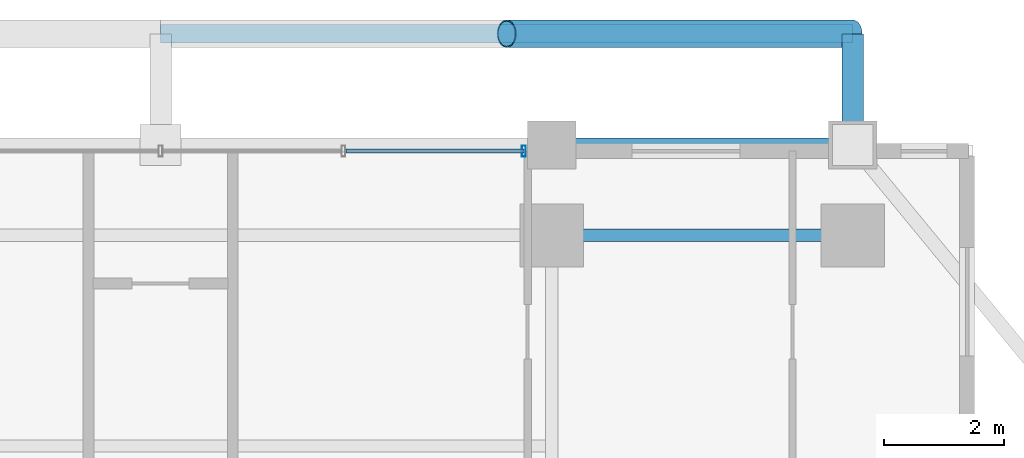
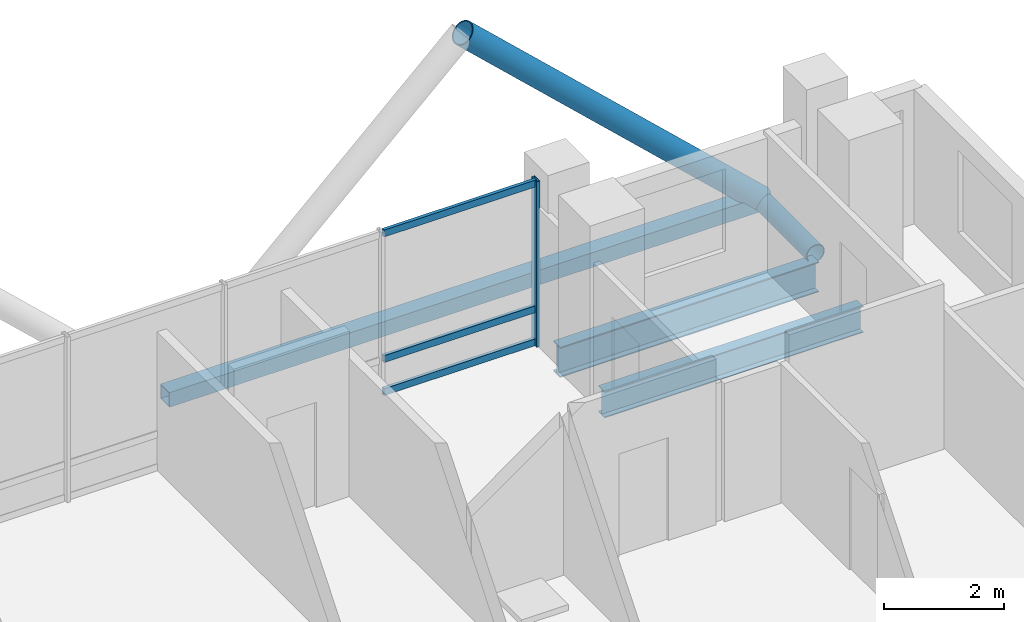
# One storey, part 18 of 26: 7 members, 2 beams, 1 element without a shape of its own.
"""IFC4 building model written with IfcOpenShell, lengths in metres."""

from ifc_helpers import new_model, si_unit, direction, frame, origin, origin_2d, place, context, subcontext, project, spatial, hollow_rectangle, hollow_circle, i_section, extrude, material, layer, layer_set, material_profile, profile_set, type_object, element, aggregate, save


model = new_model("IFC4")

# Units and contexts
model_context = context("Model", 3, precision=1e-05, world=origin(), true_north=direction((0.0, 1.0)))
body_context = subcontext(model_context, "Body", "Model", "MODEL_VIEW")
ifc_project = project(units=[si_unit("LENGTHUNIT", "METRE"), si_unit("AREAUNIT", "SQUARE_METRE"), si_unit("VOLUMEUNIT", "CUBIC_METRE"), si_unit("PLANEANGLEUNIT", "RADIAN"), si_unit("MASSUNIT", "GRAM", prefix="KILO")], contexts=[model_context])

# Site, building, storey
site_placement = place(None, origin())
site = spatial("IfcSite", under=ifc_project, at=site_placement, CompositionType="ELEMENT")
building_placement = place(site_placement, origin())
building = spatial("IfcBuilding", under=site, at=building_placement, Name="Barlavira Tower and Art Museum", CompositionType="ELEMENT")
storey_placement = place(building_placement, frame((0.0, 0.0, 187.199951171875)))
storey = spatial("IfcBuildingStorey", under=building, at=storey_placement, Name="L48", CompositionType="ELEMENT", Elevation=187.199951171875)

# Curtain wall, members
ifc_material_1 = material(Name="Low-iron coastal laminated glass", Category="glass")
ifc_layer = layer(ifc_material_1, 0.199951171875, Name="Low-iron coastal laminated glass")
ifc_layer_set = layer_set([ifc_layer], Name="Low-iron coastal laminated glass")
curtain_wall_type = type_object("IfcCurtainWallType", Name="Pale-Metal Unitised Curtain Wall Zone 3", PredefinedType="NOTDEFINED", material=ifc_layer_set)
curtain_wall_placement = place(storey_placement, origin())
curtain_wall = element("IfcCurtainWall", 1, at=curtain_wall_placement, inside=storey, type_object=curtain_wall_type, Name="L48 Curtain Wall CW3-L48-N-B3", PredefinedType="NOTDEFINED")
ifc_material_2 = material(Name="Pale anodised aluminium", Category="aluminium")
ifc_material_profile_1 = material_profile(ifc_material_2, hollow_rectangle(XDim=0.06494140625, YDim=0.179931640625, WallThickness=0.00390625, at=origin_2d()), Name="ALU-MULL 65x180x4")
ifc_profile_set_1 = profile_set([ifc_material_profile_1], Name="Pale anodised aluminium")
member_type_1 = type_object("IfcMemberType", Name="Curtain Wall Pale-Metal Mullion 65x180", PredefinedType="MULLION", material=ifc_profile_set_1)
member_1_placement = place(storey_placement, frame((6.034912109375, 21.39990234375, 0.0), z_axis=(0.0, 0.0, 1.0), x_axis=(-1.0, 0.0, 0.0)))
member_1 = element("IfcMember", 2, at=member_1_placement, type_object=member_type_1, Name="CW3-L48-N-B3 Mullion 0", PredefinedType="MULLION", context=body_context, shape_type="SweptSolid", body=[
    extrude(hollow_rectangle(XDim=0.06494140625, YDim=0.179931640625, WallThickness=0.00390625, at=origin_2d()), origin(), (0.0, 0.0, 1.0), 3.380126953125),
])
ifc_material_profile_2 = material_profile(ifc_material_2, hollow_rectangle(XDim=0.06494140625, YDim=0.139892578125, WallThickness=0.00390625, at=origin_2d()), Name="ALU-TRAN 65x140x4")
ifc_profile_set_2 = profile_set([ifc_material_profile_2], Name="Pale anodised aluminium")
member_type_2 = type_object("IfcMemberType", Name="Curtain Wall Pale-Metal Transom 65x140", PredefinedType="USERDEFINED", material=ifc_profile_set_2)
member_2_placement = place(storey_placement, frame((6.034912109375, 21.39990234375, 0.070068359375), z_axis=(-1.0, 0.0, 0.0), x_axis=(0.0, -1.0, 0.0)))
member_2 = element("IfcMember", 3, at=member_2_placement, type_object=member_type_2, Name="CW3-L48-N-B3 Transom 0.1", ObjectType="TRANSOM", PredefinedType="USERDEFINED", context=body_context, shape_type="SweptSolid", body=[
    extrude(hollow_rectangle(XDim=0.06494140625, YDim=0.139892578125, WallThickness=0.00390625, at=origin_2d()), origin(), (0.0, 0.0, 1.0), 2.949951171875),
])
member_3_placement = place(storey_placement, frame((6.034912109375, 21.39990234375, 0.744140625), z_axis=(-1.0, 0.0, 0.0), x_axis=(0.0, -1.0, 0.0)))
member_3 = element("IfcMember", 4, at=member_3_placement, type_object=member_type_2, Name="CW3-L48-N-B3 Transom 0.2", ObjectType="TRANSOM", PredefinedType="USERDEFINED", context=body_context, shape_type="SweptSolid", body=[
    extrude(hollow_rectangle(XDim=0.06494140625, YDim=0.139892578125, WallThickness=0.00390625, at=origin_2d()), origin(), (0.0, 0.0, 1.0), 2.949951171875),
])
member_4_placement = place(storey_placement, frame((6.034912109375, 21.39990234375, 3.31005859375), z_axis=(-1.0, 0.0, 0.0), x_axis=(0.0, -1.0, 0.0)))
member_4 = element("IfcMember", 5, at=member_4_placement, type_object=member_type_2, Name="CW3-L48-N-B3 Transom 0.3", ObjectType="TRANSOM", PredefinedType="USERDEFINED", context=body_context, shape_type="SweptSolid", body=[
    extrude(hollow_rectangle(XDim=0.06494140625, YDim=0.139892578125, WallThickness=0.00390625, at=origin_2d()), origin(), (0.0, 0.0, 1.0), 2.949951171875),
])
aggregate(curtain_wall, [member_1, member_2, member_3, member_4])

# Members
ifc_material_3 = material(Name="Steel S355", Category="steel")
ifc_material_profile_3 = material_profile(ifc_material_3, hollow_circle(Radius=0.228515625, WallThickness=0.02001953125, at=origin_2d()), Name="CHS 457.0x20.0")
ifc_profile_set_3 = profile_set([ifc_material_profile_3], Name="Steel S355")
member_type_3 = type_object("IfcMemberType", Name="Pale-Metal Exoskeleton Diagrid Tube CHS 457x20 Steel S355", PredefinedType="BRACE", material=ifc_profile_set_3)
member_5_placement = place(storey_placement, frame((11.5, 23.35009765625, -0.119873046875), z_axis=(-0.728950095515, 0.0, 0.684566839869), x_axis=(0.0, -1.0, 0.0)))
element("IfcMember", 6, at=member_5_placement, inside=storey, type_object=member_type_3, Name="L48 Exoskeleton Diagrid Tube N", PredefinedType="BRACE", context=body_context, shape_type="SweptSolid", body=[
    extrude(hollow_circle(Radius=0.228515625, WallThickness=0.02001953125, at=origin_2d()), origin(), (0.0, 0.0, 1.0), 7.887939453125),
])
ifc_material_profile_4 = material_profile(ifc_material_3, hollow_circle(Radius=0.177734375, WallThickness=0.01611328125, at=origin_2d()), Name="CHS 355.6x16.0")
ifc_profile_set_4 = profile_set([ifc_material_profile_4], Name="Steel S355")
member_type_4 = type_object("IfcMemberType", Name="Pale-Metal Exoskeleton Tie Strut CHS 356x16 Steel S355", PredefinedType="STRUT", material=ifc_profile_set_4)
member_6_placement = place(storey_placement, frame((11.5, 23.35009765625, -0.119873046875), z_axis=(0.0, -1.0, 0.0), x_axis=(1.0, 0.0, 0.0)))
element("IfcMember", 7, at=member_6_placement, inside=storey, type_object=member_type_4, Name="L48 Exoskeleton Tie Strut N3", PredefinedType="STRUT", context=body_context, shape_type="SweptSolid", body=[
    extrude(hollow_circle(Radius=0.177734375, WallThickness=0.01611328125, at=origin_2d()), origin(), (0.0, 0.0, 1.0), 1.85009765625),
])
ifc_material_profile_5 = material_profile(ifc_material_3, hollow_rectangle(XDim=0.300048828125, YDim=0.300048828125, WallThickness=0.01611328125, at=origin_2d()), Name="SHS 300x300x16.0")
ifc_profile_set_5 = profile_set([ifc_material_profile_5], Name="Steel S355")
member_type_5 = type_object("IfcMemberType", Name="Pale-Metal Upper Ring Strut SHS 300x300x16 Steel S355", PredefinedType="STRUT", material=ifc_profile_set_5)
member_7_placement = place(storey_placement, frame((0.0, 23.35009765625, -0.119873046875), z_axis=(1.0, 0.0, 0.0), x_axis=(0.0, 1.0, 0.0)))
element("IfcMember", 8, at=member_7_placement, inside=storey, type_object=member_type_5, Name="L48 Exoskeleton Ring Strut N", PredefinedType="STRUT", context=body_context, shape_type="SweptSolid", body=[
    extrude(hollow_rectangle(XDim=0.300048828125, YDim=0.300048828125, WallThickness=0.01611328125, at=origin_2d()), origin(), (0.0, 0.0, 1.0), 11.5),
])

# Beams
ifc_material_profile_6 = material_profile(ifc_material_3, i_section(OverallWidth=0.22998046875, OverallDepth=0.616943359375, WebThickness=0.01318359375, FlangeThickness=0.022216796875, at=origin_2d()), Name="W610x140.0")
ifc_profile_set_6 = profile_set([ifc_material_profile_6], Name="Steel S355")
beam_type_1 = type_object("IfcBeamType", Name="Upper Shaft Spandrel Edge Beam W610x140 Steel S355", PredefinedType="SPANDREL", material=ifc_profile_set_6)
beam_1_placement = place(storey_placement, frame((6.5, 21.5, -0.528564453125), z_axis=(1.0, 0.0, 0.0), x_axis=(0.0, 1.0, 0.0)))
element("IfcBeam", 9, at=beam_1_placement, inside=storey, type_object=beam_type_1, Name="L48 Spandrel 9", PredefinedType="SPANDREL", context=body_context, shape_type="SweptSolid", body=[
    extrude(i_section(OverallWidth=0.22998046875, OverallDepth=0.616943359375, WebThickness=0.01318359375, FlangeThickness=0.022216796875, at=origin_2d()), origin(), (0.0, 0.0, 1.0), 5.0),
])
ifc_material_profile_7 = material_profile(ifc_material_3, i_section(OverallWidth=0.2109375, OverallDepth=0.5390625, WebThickness=0.01171875, FlangeThickness=0.018798828125, at=origin_2d()), Name="W530x109.0")
ifc_profile_set_7 = profile_set([ifc_material_profile_7], Name="Steel S355")
beam_type_2 = type_object("IfcBeamType", Name="Zone 3-4 Primary Floor Girder W530x109 Steel S355", PredefinedType="BEAM", material=ifc_profile_set_7)
beam_2_placement = place(storey_placement, frame((6.5, 20.0, -0.489501953125), z_axis=(1.0, 0.0, 0.0), x_axis=(0.0, 1.0, 0.0)))
element("IfcBeam", 10, at=beam_2_placement, inside=storey, type_object=beam_type_2, Name="L48 Girder M-N3", PredefinedType="BEAM", context=body_context, shape_type="SweptSolid", body=[
    extrude(i_section(OverallWidth=0.2109375, OverallDepth=0.5390625, WebThickness=0.01171875, FlangeThickness=0.018798828125, at=origin_2d()), origin(), (0.0, 0.0, 1.0), 5.0),
])

save(model, "model.ifc")
